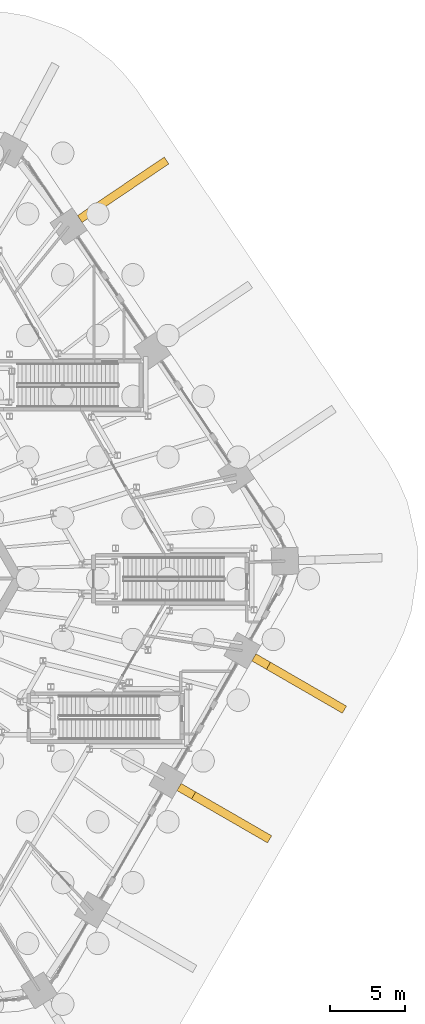
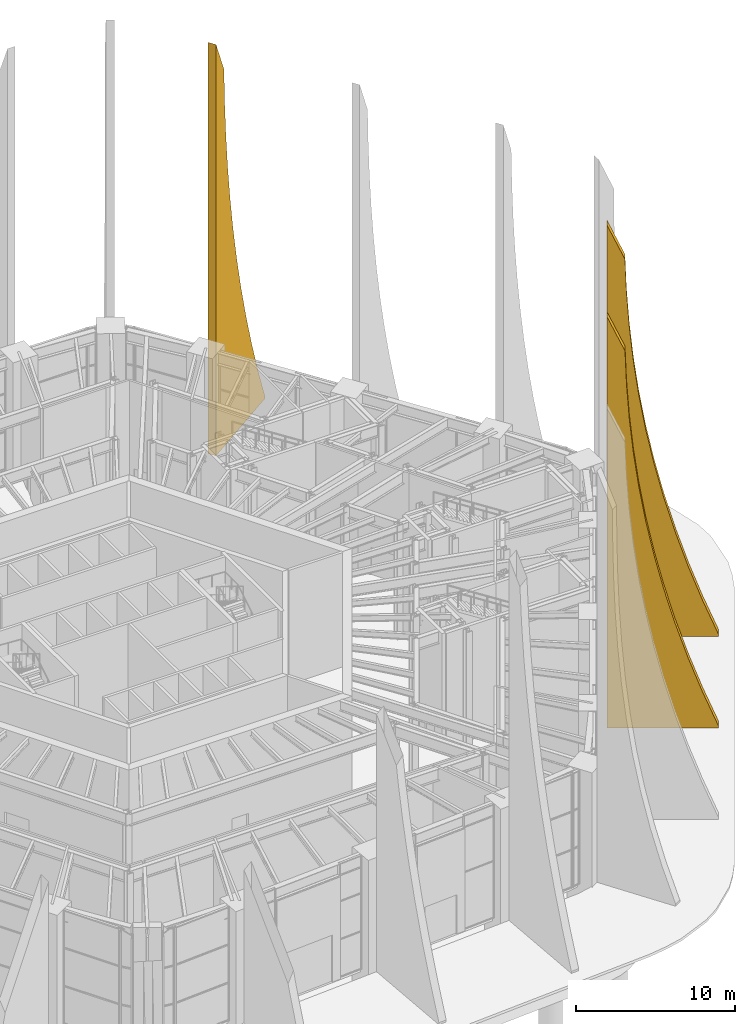
# One storey, part 40 of 43: 3 shading devices.
"""IFC4 building model written with IfcOpenShell, lengths in metres."""

import ifcopenshell
import ifcopenshell.guid

model = None  # the IFC model being written
_history = None  # IfcOwnerHistory: only IFC2X3 demands one
_inside = {}  # id of a spatial element -> (the spatial element, [elements in it])
_under = {}  # id of a project, library or spatial element -> (it, [spatial elements below it])
_declared = {}  # id of a project -> (the project, [libraries it declares])
_typed = {}  # id of a type object -> (the type object, [elements of that type])
_made_of = {}  # id of a material, layer set ... -> (it, [elements and type objects made of it])


def new_model(schema):
    """Start an empty IFC model of exactly this schema.

    Asked for "IFC4X3", IfcOpenShell would pick the latest addendum, in which some entities
    have other attributes; the version numbers below select the first issue.
    IFC2X3 requires an IfcOwnerHistory on every rooted entity: one is made here for all.
    """
    global model, _history
    if schema == "IFC4X3":
        model = ifcopenshell.file(schema_version=(4, 3, 0, 0))
    else:
        model = ifcopenshell.file(schema=schema)
    _inside.clear()
    _under.clear()
    _declared.clear()
    _typed.clear()
    _made_of.clear()
    _history = None
    if model.schema == "IFC2X3":
        org = make("IfcOrganization", Name="unknown")
        user = make(
            "IfcPersonAndOrganization",
            ThePerson=make("IfcPerson", FamilyName="unknown"),
            TheOrganization=org,
        )
        app = make(
            "IfcApplication",
            ApplicationDeveloper=org,
            Version="unknown",
            ApplicationFullName="unknown",
            ApplicationIdentifier="unknown",
        )
        _history = make(
            "IfcOwnerHistory",
            OwningUser=user,
            OwningApplication=app,
            ChangeAction="ADDED",
            CreationDate=0,
        )
    return model


def make(cls, **values):
    """One entity of the class cls with the attributes given. An attribute that is None is left unset."""
    return model.create_entity(
        cls, **{name: value for name, value in values.items() if value is not None}
    )


def rooted(cls, **values):
    """An entity with a GlobalId (a new one), such as an element, a storey or a relation."""
    return make(cls, GlobalId=ifcopenshell.guid.new(), OwnerHistory=_history, **values)


def si_unit(unit_type, name, prefix=None):
    """IfcSIUnit, for example si_unit("LENGTHUNIT", "METRE", prefix="MILLI")."""
    return make("IfcSIUnit", UnitType=unit_type, Prefix=prefix, Name=name)


def assignment(units):
    """IfcUnitAssignment: the units of a project."""
    return None if units is None else make("IfcUnitAssignment", Units=units)


def point(xyz):
    """IfcCartesianPoint."""
    return None if xyz is None else make("IfcCartesianPoint", Coordinates=xyz)


def direction(xyz):
    """IfcDirection."""
    return None if xyz is None else make("IfcDirection", DirectionRatios=xyz)


def frame(location, z_axis=None, x_axis=None):
    """IfcAxis2Placement3D, a coordinate frame: its origin and axes. An axis left out is left unset."""
    return make(
        "IfcAxis2Placement3D",
        Location=point(location),
        Axis=direction(z_axis),
        RefDirection=direction(x_axis),
    )


def origin():
    """The frame at (0, 0, 0) with its axes left unset."""
    return frame((0.0, 0.0, 0.0))


def place(relative_to, where):
    """IfcLocalPlacement: puts the frame where relative to a parent placement (None: the world)."""
    return make(
        "IfcLocalPlacement", PlacementRelTo=relative_to, RelativePlacement=where
    )


def context(
    kind, dimensions, precision=None, world=None, true_north=None, identifier=None
):
    """IfcGeometricRepresentationContext, for example the 3D "Model" context."""
    return make(
        "IfcGeometricRepresentationContext",
        ContextIdentifier=identifier,
        ContextType=kind,
        CoordinateSpaceDimension=dimensions,
        Precision=precision,
        WorldCoordinateSystem=world,
        TrueNorth=true_north,
    )


def subcontext(parent, identifier, kind, view, scale=None):
    """IfcGeometricRepresentationSubContext, for example "Body" below "Model"."""
    return make(
        "IfcGeometricRepresentationSubContext",
        ContextIdentifier=identifier,
        ContextType=kind,
        ParentContext=parent,
        TargetScale=scale,
        TargetView=view,
    )


def project(units=None, contexts=None):
    """IfcProject with its units and contexts."""
    return rooted(
        "IfcProject",
        Name="project",
        RepresentationContexts=contexts,
        UnitsInContext=assignment(units),
    )


def spatial(cls, under=None, at=None, **own):
    """A site, building, storey or space (cls), placed at a placement, below another one or the project."""
    s = rooted(cls, ObjectPlacement=at, **own)
    if under is not None:
        _under.setdefault(under.id(), (under, []))[1].append(s)
    return s


def polyline(points):
    """IfcPolyline through the points."""
    return make("IfcPolyline", Points=[point(p) for p in points])


def outline(outer, holes=None, kind="AREA"):
    """IfcArbitraryClosedProfileDef: a profile drawn as a closed curve; with holes, ...WithVoids."""
    if holes is None:
        return make("IfcArbitraryClosedProfileDef", ProfileType=kind, OuterCurve=outer)
    return make(
        "IfcArbitraryProfileDefWithVoids",
        ProfileType=kind,
        OuterCurve=outer,
        InnerCurves=holes,
    )


def extrude(swept, where, along, depth):
    """IfcExtrudedAreaSolid: the profile swept, set in the frame where, extruded along a direction by depth."""
    return make(
        "IfcExtrudedAreaSolid",
        SweptArea=swept,
        Position=where,
        ExtrudedDirection=direction(along),
        Depth=depth,
    )


def shape(context_of_items, identifier, shape_type, items):
    """IfcShapeRepresentation: the items that make up one representation, for example the "Body"."""
    return make(
        "IfcShapeRepresentation",
        ContextOfItems=context_of_items,
        RepresentationIdentifier=identifier,
        RepresentationType=shape_type,
        Items=items,
    )


def material(Name=None, Category=None):
    """IfcMaterial."""
    return make("IfcMaterial", Name=Name, Category=Category)


def layer(
    of_material, thickness, ventilated=None, Name=None, Category=None, Priority=None
):
    """IfcMaterialLayer: one layer of a wall or slab, of a material (None: an air gap)."""
    return make(
        "IfcMaterialLayer",
        Material=of_material,
        LayerThickness=thickness,
        IsVentilated=ventilated,
        Name=Name,
        Category=Category,
        Priority=Priority,
    )


def layer_set(layers, Name=None):
    """IfcMaterialLayerSet."""
    return make("IfcMaterialLayerSet", MaterialLayers=layers, LayerSetName=Name)


def made_of(thing, what):
    """Note that an element or type object is made of a material, layer set ...; save() writes the relation."""
    if what is not None:
        _made_of.setdefault(what.id(), (what, []))[1].append(thing)
    return thing


def type_object(cls, material=None, **own):
    """A type object (cls), such as IfcWallType, which elements share."""
    return made_of(rooted(cls, **own), material)


def element(
    cls,
    number,
    at=None,
    inside=None,
    cuts=None,
    type_object=None,
    material=None,
    context=None,
    identifier="Body",
    shape_type=None,
    held_by="IfcProductDefinitionShape",
    body=None,
    shapes=None,
    **own,
):
    """One element of the class cls, such as IfcWall. Its Tag is "e" and its number.

    at: its placement. inside: the storey or other place that contains it. cuts: it is an
    opening in that element (IfcRelVoidsElement). A single representation is given by context,
    identifier, shape_type and body (its items); several are given by shapes. held_by: the class
    of the entity that holds the representations. save() writes the other relations.
    """
    e = rooted(cls, Tag="e%d" % number, ObjectPlacement=at, **own)
    if body is not None:
        shapes = [shape(context, identifier, shape_type, body)]
    if shapes is not None:
        e.Representation = make(held_by, Representations=shapes)
    if inside is not None:
        _inside.setdefault(inside.id(), (inside, []))[1].append(e)
    if cuts is not None:
        rooted(
            "IfcRelVoidsElement", RelatingBuildingElement=cuts, RelatedOpeningElement=e
        )
    if type_object is not None:
        _typed.setdefault(type_object.id(), (type_object, []))[1].append(e)
    return made_of(e, material)


def aggregate(whole, parts):
    """IfcRelAggregates: a whole, such as a stair, and the parts it consists of."""
    return rooted("IfcRelAggregates", RelatingObject=whole, RelatedObjects=parts)


def save(model, path):
    """Write the relations noted so far, then the file.

    IfcRelAggregates (storeys below a building ...), IfcRelContainedInSpatialStructure (elements
    in a storey), IfcRelDefinesByType, IfcRelAssociatesMaterial and IfcRelDeclares: one each for
    every whole, place, type object, material and project.
    """
    for whole, parts in _under.values():
        aggregate(whole, parts)
    for where, things in _inside.values():
        rooted(
            "IfcRelContainedInSpatialStructure",
            RelatedElements=things,
            RelatingStructure=where,
        )
    for kind, things in _typed.values():
        rooted("IfcRelDefinesByType", RelatedObjects=things, RelatingType=kind)
    for what, things in _made_of.values():
        rooted("IfcRelAssociatesMaterial", RelatedObjects=things, RelatingMaterial=what)
    for by, libraries in _declared.values():
        rooted("IfcRelDeclares", RelatingContext=by, RelatedDefinitions=libraries)
    model.write(path)


model = new_model("IFC4")

# Units and contexts
model_context = context("Model", 3, precision=1e-05, world=origin(), true_north=direction((0.0, 1.0)))
body_context = subcontext(model_context, "Body", "Model", "MODEL_VIEW")
ifc_project = project(units=[si_unit("LENGTHUNIT", "METRE"), si_unit("AREAUNIT", "SQUARE_METRE"), si_unit("VOLUMEUNIT", "CUBIC_METRE"), si_unit("PLANEANGLEUNIT", "RADIAN"), si_unit("MASSUNIT", "GRAM", prefix="KILO")], contexts=[model_context])

# Site, building, storey
site_placement = place(None, origin())
site = spatial("IfcSite", under=ifc_project, at=site_placement, CompositionType="ELEMENT")
building_placement = place(site_placement, origin())
building = spatial("IfcBuilding", under=site, at=building_placement, Name="Tarnside Tower", CompositionType="ELEMENT")
storey_placement = place(building_placement, origin())
storey = spatial("IfcBuildingStorey", under=building, at=storey_placement, Name="L00", CompositionType="ELEMENT", Elevation=0.0)

# Shading devices
ifc_material = material(Name="Concrete C50/60 white precast", Category="concrete")
ifc_layer = layer(ifc_material, 0.550048828125)
ifc_layer_set = layer_set([ifc_layer], Name="Flared precast fin root 7000")
shading_device_type = type_object("IfcShadingDeviceType", Name="Flared precast fin root 7000", PredefinedType="USERDEFINED", material=ifc_layer_set)
for number, where, z_axis, x_axis, name in (
    (1, (26.586181640625, -13.951171875, 0.0), (-0.5, -0.866025403784, 0.0), (0.866025403784, -0.5, 0.0), "Flared fin root M18"),
    (2, (31.59814453125, -5.2705078125, 0.0), (-0.5, -0.866025403784, 0.0), (0.866025403784, -0.5, 0.0), "Flared fin root M19"),
    (3, (19.943115234375, 24.081787109375, 0.0), (0.559192903471, -0.829037572555, 0.0), (0.829037572555, 0.559192903471, 0.0), "Flared fin root M23"),
):
    element("IfcShadingDevice", number, at=place(storey_placement, frame(where, z_axis=z_axis, x_axis=x_axis)), inside=storey, type_object=shading_device_type, Name=name, ObjectType="FIN", PredefinedType="USERDEFINED", context=body_context, shape_type="SweptSolid", body=[
        extrude(outline(polyline([(0.0, 0.0), (7.0, 0.0), (7.0, 0.14990234375), (5.99462890625, 2.762451171875), (5.089111328125, 5.375), (4.281494140625, 7.987548828125), (3.57080078125, 10.60009765625), (2.954833984375, 13.21240234375), (2.432373046875, 15.824951171875), (2.000732421875, 18.4375), (1.657958984375, 21.050048828125), (1.40087890625, 23.66259765625), (1.22607421875, 26.27490234375), (1.12841796875, 28.887451171875), (0.0, 31.5), (0.0, 0.0)])), frame((0.0, 0.0, -0.27490234375)), (0.0, 0.0, 1.0), 0.550048828125),
    ])

save(model, "model.ifc")
